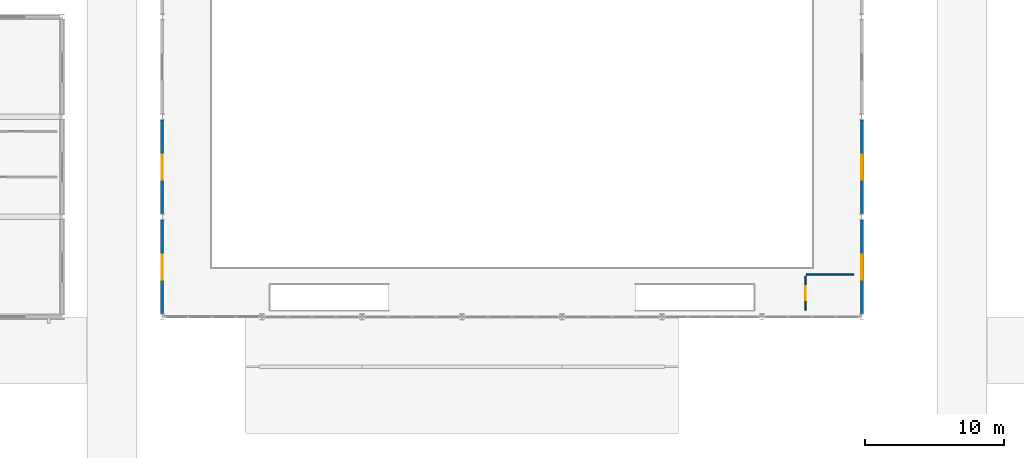
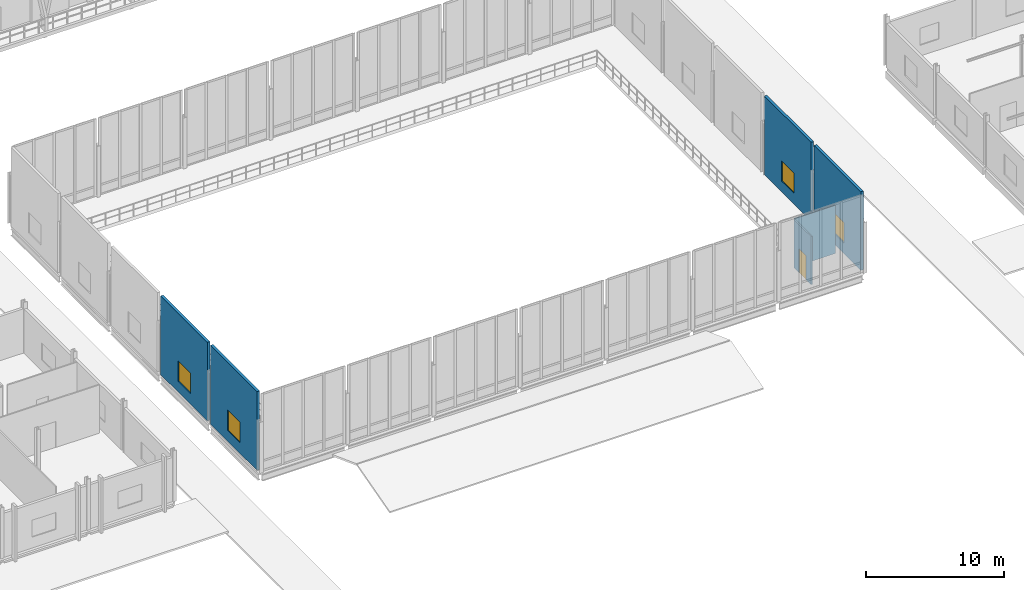
# One storey, part 71 of 110: 6 walls, 4 windows, 1 door, 5 openings.
"""IFC4 building model written with IfcOpenShell, lengths in metres."""

import ifcopenshell
import ifcopenshell.guid

model = None  # the IFC model being written
_history = None  # IfcOwnerHistory: only IFC2X3 demands one
_inside = {}  # id of a spatial element -> (the spatial element, [elements in it])
_under = {}  # id of a project, library or spatial element -> (it, [spatial elements below it])
_declared = {}  # id of a project -> (the project, [libraries it declares])
_typed = {}  # id of a type object -> (the type object, [elements of that type])
_made_of = {}  # id of a material, layer set ... -> (it, [elements and type objects made of it])


def new_model(schema):
    """Start an empty IFC model of exactly this schema.

    Asked for "IFC4X3", IfcOpenShell would pick the latest addendum, in which some entities
    have other attributes; the version numbers below select the first issue.
    IFC2X3 requires an IfcOwnerHistory on every rooted entity: one is made here for all.
    """
    global model, _history
    if schema == "IFC4X3":
        model = ifcopenshell.file(schema_version=(4, 3, 0, 0))
    else:
        model = ifcopenshell.file(schema=schema)
    _inside.clear()
    _under.clear()
    _declared.clear()
    _typed.clear()
    _made_of.clear()
    _history = None
    if model.schema == "IFC2X3":
        org = make("IfcOrganization", Name="unknown")
        user = make(
            "IfcPersonAndOrganization",
            ThePerson=make("IfcPerson", FamilyName="unknown"),
            TheOrganization=org,
        )
        app = make(
            "IfcApplication",
            ApplicationDeveloper=org,
            Version="unknown",
            ApplicationFullName="unknown",
            ApplicationIdentifier="unknown",
        )
        _history = make(
            "IfcOwnerHistory",
            OwningUser=user,
            OwningApplication=app,
            ChangeAction="ADDED",
            CreationDate=0,
        )
    return model


def make(cls, **values):
    """One entity of the class cls with the attributes given. An attribute that is None is left unset."""
    return model.create_entity(
        cls, **{name: value for name, value in values.items() if value is not None}
    )


def rooted(cls, **values):
    """An entity with a GlobalId (a new one), such as an element, a storey or a relation."""
    return make(cls, GlobalId=ifcopenshell.guid.new(), OwnerHistory=_history, **values)


def si_unit(unit_type, name, prefix=None):
    """IfcSIUnit, for example si_unit("LENGTHUNIT", "METRE", prefix="MILLI")."""
    return make("IfcSIUnit", UnitType=unit_type, Prefix=prefix, Name=name)


def assignment(units):
    """IfcUnitAssignment: the units of a project."""
    return None if units is None else make("IfcUnitAssignment", Units=units)


def point(xyz):
    """IfcCartesianPoint."""
    return None if xyz is None else make("IfcCartesianPoint", Coordinates=xyz)


def direction(xyz):
    """IfcDirection."""
    return None if xyz is None else make("IfcDirection", DirectionRatios=xyz)


def frame(location, z_axis=None, x_axis=None):
    """IfcAxis2Placement3D, a coordinate frame: its origin and axes. An axis left out is left unset."""
    return make(
        "IfcAxis2Placement3D",
        Location=point(location),
        Axis=direction(z_axis),
        RefDirection=direction(x_axis),
    )


def frame_2d(location, x_axis=None):
    """IfcAxis2Placement2D, a coordinate frame in the plane: its origin and x axis."""
    return make(
        "IfcAxis2Placement2D", Location=point(location), RefDirection=direction(x_axis)
    )


def origin():
    """The frame at (0, 0, 0) with its axes left unset."""
    return frame((0.0, 0.0, 0.0))


def place(relative_to, where):
    """IfcLocalPlacement: puts the frame where relative to a parent placement (None: the world)."""
    return make(
        "IfcLocalPlacement", PlacementRelTo=relative_to, RelativePlacement=where
    )


def context(
    kind, dimensions, precision=None, world=None, true_north=None, identifier=None
):
    """IfcGeometricRepresentationContext, for example the 3D "Model" context."""
    return make(
        "IfcGeometricRepresentationContext",
        ContextIdentifier=identifier,
        ContextType=kind,
        CoordinateSpaceDimension=dimensions,
        Precision=precision,
        WorldCoordinateSystem=world,
        TrueNorth=true_north,
    )


def subcontext(parent, identifier, kind, view, scale=None):
    """IfcGeometricRepresentationSubContext, for example "Body" below "Model"."""
    return make(
        "IfcGeometricRepresentationSubContext",
        ContextIdentifier=identifier,
        ContextType=kind,
        ParentContext=parent,
        TargetScale=scale,
        TargetView=view,
    )


def project(units=None, contexts=None):
    """IfcProject with its units and contexts."""
    return rooted(
        "IfcProject",
        Name="project",
        RepresentationContexts=contexts,
        UnitsInContext=assignment(units),
    )


def spatial(cls, under=None, at=None, **own):
    """A site, building, storey or space (cls), placed at a placement, below another one or the project."""
    s = rooted(cls, ObjectPlacement=at, **own)
    if under is not None:
        _under.setdefault(under.id(), (under, []))[1].append(s)
    return s


def profile(cls, at=None, kind="AREA", **sizes):
    """A parametric profile (cls). Its sizes go by their IFC names, for example OverallWidth=200.0."""
    return make(cls, ProfileType=kind, Position=at, **sizes)


def rectangle(**sizes):
    """IfcRectangleProfileDef."""
    return profile("IfcRectangleProfileDef", **sizes)


def extrude(swept, where, along, depth):
    """IfcExtrudedAreaSolid: the profile swept, set in the frame where, extruded along a direction by depth."""
    return make(
        "IfcExtrudedAreaSolid",
        SweptArea=swept,
        Position=where,
        ExtrudedDirection=direction(along),
        Depth=depth,
    )


def shape(context_of_items, identifier, shape_type, items):
    """IfcShapeRepresentation: the items that make up one representation, for example the "Body"."""
    return make(
        "IfcShapeRepresentation",
        ContextOfItems=context_of_items,
        RepresentationIdentifier=identifier,
        RepresentationType=shape_type,
        Items=items,
    )


def material(Name=None, Category=None):
    """IfcMaterial."""
    return make("IfcMaterial", Name=Name, Category=Category)


def layer(
    of_material, thickness, ventilated=None, Name=None, Category=None, Priority=None
):
    """IfcMaterialLayer: one layer of a wall or slab, of a material (None: an air gap)."""
    return make(
        "IfcMaterialLayer",
        Material=of_material,
        LayerThickness=thickness,
        IsVentilated=ventilated,
        Name=Name,
        Category=Category,
        Priority=Priority,
    )


def layer_set(layers, Name=None):
    """IfcMaterialLayerSet."""
    return make("IfcMaterialLayerSet", MaterialLayers=layers, LayerSetName=Name)


def made_of(thing, what):
    """Note that an element or type object is made of a material, layer set ...; save() writes the relation."""
    if what is not None:
        _made_of.setdefault(what.id(), (what, []))[1].append(thing)
    return thing


def type_object(cls, material=None, **own):
    """A type object (cls), such as IfcWallType, which elements share."""
    return made_of(rooted(cls, **own), material)


def element(
    cls,
    number,
    at=None,
    inside=None,
    cuts=None,
    type_object=None,
    material=None,
    context=None,
    identifier="Body",
    shape_type=None,
    held_by="IfcProductDefinitionShape",
    body=None,
    shapes=None,
    **own,
):
    """One element of the class cls, such as IfcWall. Its Tag is "e" and its number.

    at: its placement. inside: the storey or other place that contains it. cuts: it is an
    opening in that element (IfcRelVoidsElement). A single representation is given by context,
    identifier, shape_type and body (its items); several are given by shapes. held_by: the class
    of the entity that holds the representations. save() writes the other relations.
    """
    e = rooted(cls, Tag="e%d" % number, ObjectPlacement=at, **own)
    if body is not None:
        shapes = [shape(context, identifier, shape_type, body)]
    if shapes is not None:
        e.Representation = make(held_by, Representations=shapes)
    if inside is not None:
        _inside.setdefault(inside.id(), (inside, []))[1].append(e)
    if cuts is not None:
        rooted(
            "IfcRelVoidsElement", RelatingBuildingElement=cuts, RelatedOpeningElement=e
        )
    if type_object is not None:
        _typed.setdefault(type_object.id(), (type_object, []))[1].append(e)
    return made_of(e, material)


def fill(opening, filler):
    """IfcRelFillsElement: the door or window that sits in an opening."""
    return rooted(
        "IfcRelFillsElement",
        RelatingOpeningElement=opening,
        RelatedBuildingElement=filler,
    )


def aggregate(whole, parts):
    """IfcRelAggregates: a whole, such as a stair, and the parts it consists of."""
    return rooted("IfcRelAggregates", RelatingObject=whole, RelatedObjects=parts)


def save(model, path):
    """Write the relations noted so far, then the file.

    IfcRelAggregates (storeys below a building ...), IfcRelContainedInSpatialStructure (elements
    in a storey), IfcRelDefinesByType, IfcRelAssociatesMaterial and IfcRelDeclares: one each for
    every whole, place, type object, material and project.
    """
    for whole, parts in _under.values():
        aggregate(whole, parts)
    for where, things in _inside.values():
        rooted(
            "IfcRelContainedInSpatialStructure",
            RelatedElements=things,
            RelatingStructure=where,
        )
    for kind, things in _typed.values():
        rooted("IfcRelDefinesByType", RelatedObjects=things, RelatingType=kind)
    for what, things in _made_of.values():
        rooted("IfcRelAssociatesMaterial", RelatedObjects=things, RelatingMaterial=what)
    for by, libraries in _declared.values():
        rooted("IfcRelDeclares", RelatingContext=by, RelatedDefinitions=libraries)
    model.write(path)


model = new_model("IFC4")

# Units and contexts
model_context = context("Model", 3, precision=1e-05, world=origin(), true_north=direction((0.0, 1.0)))
body_context = subcontext(model_context, "Body", "Model", "MODEL_VIEW")
ifc_project = project(units=[si_unit("LENGTHUNIT", "METRE"), si_unit("AREAUNIT", "SQUARE_METRE"), si_unit("VOLUMEUNIT", "CUBIC_METRE"), si_unit("PLANEANGLEUNIT", "RADIAN"), si_unit("MASSUNIT", "GRAM", prefix="KILO")], contexts=[model_context])

# Site, building, storey
site_placement = place(None, origin())
site = spatial("IfcSite", under=ifc_project, at=site_placement, CompositionType="ELEMENT")
building_placement = place(site_placement, origin())
building = spatial("IfcBuilding", under=site, at=building_placement, Name="Suanplinth Sawtooth Commons", CompositionType="ELEMENT")
storey_placement = place(building_placement, frame((0.0, 0.0, 4.5)))
storey = spatial("IfcBuildingStorey", under=building, at=storey_placement, Name="L01", CompositionType="ELEMENT", Elevation=4.5)

# Wall, opening, window
ifc_material_1 = material(Name="Precast concrete C40/50", Category="concrete")
ifc_layer_1 = layer(ifc_material_1, 0.219970703125, Name="Civic pavilion insulated facade wall 220mm")
ifc_layer_set_1 = layer_set([ifc_layer_1], Name="Precast concrete C40/50")
wall_type_1 = type_object("IfcWallType", Name="W-EX05", PredefinedType="ELEMENTEDWALL", material=ifc_layer_set_1)
wall_1_placement = place(storey_placement, frame((64.800048828125, 50.625, 0.0), z_axis=(0.0, 0.0, 1.0), x_axis=(0.0, 1.0, 0.0)))
wall_1 = element("IfcWall", 1, at=wall_1_placement, inside=storey, type_object=wall_type_1, Name="Hall W Wall L01-7", PredefinedType="ELEMENTEDWALL", context=body_context, shape_type="SweptSolid", body=[
    extrude(rectangle(XDim=6.75, YDim=0.219970703125, at=frame_2d((3.375, 0.0))), origin(), (0.0, 0.0, 1.0), 6.949951171875),
])
opening_1_placement = place(wall_1_placement, frame((2.449951171875, 0.0, 0.949951171875)))
opening_1 = element("IfcOpeningElement", 2, at=opening_1_placement, cuts=wall_1, Name="Opening W0007", PredefinedType="OPENING", context=body_context, shape_type="SweptSolid", body=[
    extrude(rectangle(XDim=1.800048828125, YDim=1.800048828125, at=frame_2d((0.89990234375, 0.89990234375))), frame((0.0, 0.125, 0.0), z_axis=(0.0, -1.0, 0.0), x_axis=(1.0, 0.0, 0.0)), (0.0, 0.0, 1.0), 0.249755859375),
])
ifc_material_2 = material(Name="Thermally broken aluminium and low-E double glazing", Category="aluminium")
window_type = type_object("IfcWindowType", Name="WN-07", PartitioningType="DOUBLE_PANEL_VERTICAL", PredefinedType="WINDOW", material=ifc_material_2)
window_1_placement = place(opening_1_placement, origin())
window_1 = element("IfcWindow", 3, at=window_1_placement, inside=storey, type_object=window_type, Name="Hall W Window L01-7", OverallHeight=1.800048828125, OverallWidth=1.800048828125, PartitioningType="DOUBLE_PANEL_VERTICAL", PredefinedType="WINDOW", context=body_context, shape_type="SweptSolid", body=[
    extrude(rectangle(XDim=1.800048828125, YDim=1.800048828125, at=frame_2d((0.89990234375, 0.89990234375))), frame((0.0, 0.030029296875, 0.0), z_axis=(0.0, -1.0, 0.0), x_axis=(1.0, 0.0, 0.0)), (0.0, 0.0, 1.0), 0.06005859375),
])
fill(opening_1, window_1)

wall_2_placement = place(storey_placement, frame((115.199951171875, 50.625, 0.0), z_axis=(0.0, 0.0, 1.0), x_axis=(0.0, 1.0, 0.0)))
wall_2 = element("IfcWall", 4, at=wall_2_placement, inside=storey, type_object=wall_type_1, Name="Hall E Wall L01-7", PredefinedType="ELEMENTEDWALL", context=body_context, shape_type="SweptSolid", body=[
    extrude(rectangle(XDim=6.75, YDim=0.219970703125, at=frame_2d((3.375, 0.0))), origin(), (0.0, 0.0, 1.0), 6.949951171875),
])
opening_2_placement = place(wall_2_placement, frame((2.449951171875, 0.0, 0.949951171875)))
opening_2 = element("IfcOpeningElement", 5, at=opening_2_placement, cuts=wall_2, Name="Opening W0009", PredefinedType="OPENING", context=body_context, shape_type="SweptSolid", body=[
    extrude(rectangle(XDim=1.800048828125, YDim=1.800048828125, at=frame_2d((0.89990234375, 0.89990234375))), frame((0.0, 0.125, 0.0), z_axis=(0.0, -1.0, 0.0), x_axis=(1.0, 0.0, 0.0)), (0.0, 0.0, 1.0), 0.249755859375),
])
window_2_placement = place(opening_2_placement, origin())
window_2 = element("IfcWindow", 6, at=window_2_placement, inside=storey, type_object=window_type, Name="Hall E Window L01-7", OverallHeight=1.800048828125, OverallWidth=1.800048828125, PartitioningType="DOUBLE_PANEL_VERTICAL", PredefinedType="WINDOW", context=body_context, shape_type="SweptSolid", body=[
    extrude(rectangle(XDim=1.800048828125, YDim=1.800048828125, at=frame_2d((0.89990234375, 0.89990234375))), frame((0.0, 0.030029296875, 0.0), z_axis=(0.0, -1.0, 0.0), x_axis=(1.0, 0.0, 0.0)), (0.0, 0.0, 1.0), 0.06005859375),
])
fill(opening_2, window_2)

wall_3_placement = place(storey_placement, frame((64.800048828125, 57.824951171875, 0.0), z_axis=(0.0, 0.0, 1.0), x_axis=(0.0, 1.0, 0.0)))
wall_3 = element("IfcWall", 7, at=wall_3_placement, inside=storey, type_object=wall_type_1, Name="Hall W Wall L01-8", PredefinedType="ELEMENTEDWALL", context=body_context, shape_type="SweptSolid", body=[
    extrude(rectangle(XDim=6.75, YDim=0.219970703125, at=frame_2d((3.375, 0.0))), origin(), (0.0, 0.0, 1.0), 6.949951171875),
])
opening_3_placement = place(wall_3_placement, frame((2.449951171875, 0.0, 0.949951171875)))
opening_3 = element("IfcOpeningElement", 8, at=opening_3_placement, cuts=wall_3, Name="Opening W0011", PredefinedType="OPENING", context=body_context, shape_type="SweptSolid", body=[
    extrude(rectangle(XDim=1.800048828125, YDim=1.800048828125, at=frame_2d((0.89990234375, 0.89990234375))), frame((0.0, 0.125, 0.0), z_axis=(0.0, -1.0, 0.0), x_axis=(1.0, 0.0, 0.0)), (0.0, 0.0, 1.0), 0.249755859375),
])
window_3_placement = place(opening_3_placement, origin())
window_3 = element("IfcWindow", 9, at=window_3_placement, inside=storey, type_object=window_type, Name="Hall W Window L01-8", OverallHeight=1.800048828125, OverallWidth=1.800048828125, PartitioningType="DOUBLE_PANEL_VERTICAL", PredefinedType="WINDOW", context=body_context, shape_type="SweptSolid", body=[
    extrude(rectangle(XDim=1.800048828125, YDim=1.800048828125, at=frame_2d((0.89990234375, 0.89990234375))), frame((0.0, 0.030029296875, 0.0), z_axis=(0.0, -1.0, 0.0), x_axis=(1.0, 0.0, 0.0)), (0.0, 0.0, 1.0), 0.06005859375),
])
fill(opening_3, window_3)

wall_4_placement = place(storey_placement, frame((115.199951171875, 57.824951171875, 0.0), z_axis=(0.0, 0.0, 1.0), x_axis=(0.0, 1.0, 0.0)))
wall_4 = element("IfcWall", 10, at=wall_4_placement, inside=storey, type_object=wall_type_1, Name="Hall E Wall L01-8", PredefinedType="ELEMENTEDWALL", context=body_context, shape_type="SweptSolid", body=[
    extrude(rectangle(XDim=6.75, YDim=0.219970703125, at=frame_2d((3.375, 0.0))), origin(), (0.0, 0.0, 1.0), 6.949951171875),
])
opening_4_placement = place(wall_4_placement, frame((2.449951171875, 0.0, 0.949951171875)))
opening_4 = element("IfcOpeningElement", 11, at=opening_4_placement, cuts=wall_4, Name="Opening W0013", PredefinedType="OPENING", context=body_context, shape_type="SweptSolid", body=[
    extrude(rectangle(XDim=1.800048828125, YDim=1.800048828125, at=frame_2d((0.89990234375, 0.89990234375))), frame((0.0, 0.125, 0.0), z_axis=(0.0, -1.0, 0.0), x_axis=(1.0, 0.0, 0.0)), (0.0, 0.0, 1.0), 0.249755859375),
])
window_4_placement = place(opening_4_placement, origin())
window_4 = element("IfcWindow", 12, at=window_4_placement, inside=storey, type_object=window_type, Name="Hall E Window L01-8", OverallHeight=1.800048828125, OverallWidth=1.800048828125, PartitioningType="DOUBLE_PANEL_VERTICAL", PredefinedType="WINDOW", context=body_context, shape_type="SweptSolid", body=[
    extrude(rectangle(XDim=1.800048828125, YDim=1.800048828125, at=frame_2d((0.89990234375, 0.89990234375))), frame((0.0, 0.030029296875, 0.0), z_axis=(0.0, -1.0, 0.0), x_axis=(1.0, 0.0, 0.0)), (0.0, 0.0, 1.0), 0.06005859375),
])
fill(opening_4, window_4)

# Wall
ifc_material_3 = material(Name="Gypsum plasterboard on steel stud", Category="steel")
ifc_layer_2 = layer(ifc_material_3, 0.110107421875, Name="Civic classroom and clinic partition 110mm")
ifc_layer_set_2 = layer_set([ifc_layer_2], Name="Gypsum plasterboard on steel stud")
wall_type_2 = type_object("IfcWallType", Name="W-PT04", PredefinedType="PARTITIONING", material=ifc_layer_set_2)
wall_5_placement = place(storey_placement, frame((111.199951171875, 53.4599609375, 0.0), z_axis=(0.0, 0.0, 1.0), x_axis=(1.0, 0.0, 0.0)))
element("IfcWall", 13, at=wall_5_placement, inside=storey, type_object=wall_type_2, Name="W-L01-HALL-WCACC-N", PredefinedType="PARTITIONING", context=body_context, shape_type="SweptSolid", body=[
    extrude(rectangle(XDim=3.400146484375, YDim=0.110107421875, at=frame_2d((1.7001953125, 0.0))), origin(), (0.0, 0.0, 1.0), 4.25),
])

# Wall, opening, door
wall_6_placement = place(storey_placement, frame((111.139892578125, 50.8798828125, 0.0), z_axis=(0.0, 0.0, 1.0), x_axis=(0.0, 1.0, 0.0)))
wall_6 = element("IfcWall", 14, at=wall_6_placement, inside=storey, type_object=wall_type_2, Name="W-L01-HALL-WCACC-W", PredefinedType="PARTITIONING", context=body_context, shape_type="SweptSolid", body=[
    extrude(rectangle(XDim=2.440185546875, YDim=0.110107421875, at=frame_2d((1.22021484375, 0.0))), origin(), (0.0, 0.0, 1.0), 4.25),
])
opening_5_placement = place(wall_6_placement, frame((0.719970703125, 0.0, 0.0)))
opening_5 = element("IfcOpeningElement", 15, at=opening_5_placement, cuts=wall_6, Name="Opening D0442", PredefinedType="OPENING", context=body_context, shape_type="SweptSolid", body=[
    extrude(rectangle(XDim=1.0, YDim=2.10009765625, at=frame_2d((0.5, 1.050048828125))), frame((0.0, 0.06982421875, 0.0), z_axis=(0.0, -1.0, 0.0), x_axis=(1.0, 0.0, 0.0)), (0.0, 0.0, 1.0), 0.139892578125),
])
ifc_material_4 = material(Name="Teak hardwood", Category="wood")
door_type = type_object("IfcDoorType", Name="D-04", OperationType="NOTDEFINED", PredefinedType="DOOR", material=ifc_material_4)
door_placement = place(opening_5_placement, origin())
door = element("IfcDoor", 16, at=door_placement, inside=storey, type_object=door_type, Name="Civic Room Door D0442", OperationType="SINGLE_SWING_RIGHT", OverallHeight=2.10009765625, OverallWidth=1.0, PredefinedType="DOOR", context=body_context, shape_type="SweptSolid", body=[
    extrude(rectangle(XDim=1.0, YDim=2.10009765625, at=frame_2d((0.5, 1.050048828125))), frame((0.0, 0.02490234375, 0.0), z_axis=(0.0, -1.0, 0.0), x_axis=(1.0, 0.0, 0.0)), (0.0, 0.0, 1.0), 0.050048828125),
])
fill(opening_5, door)

save(model, "model.ifc")
